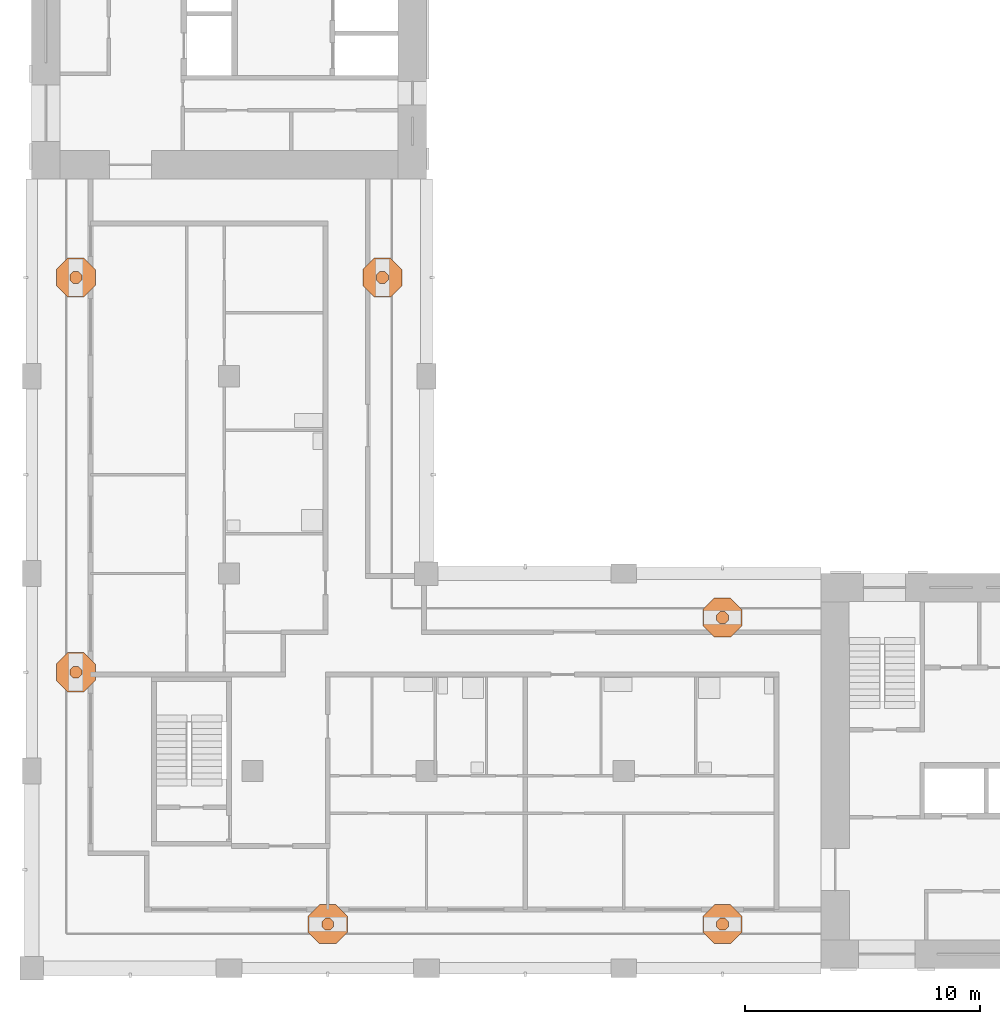
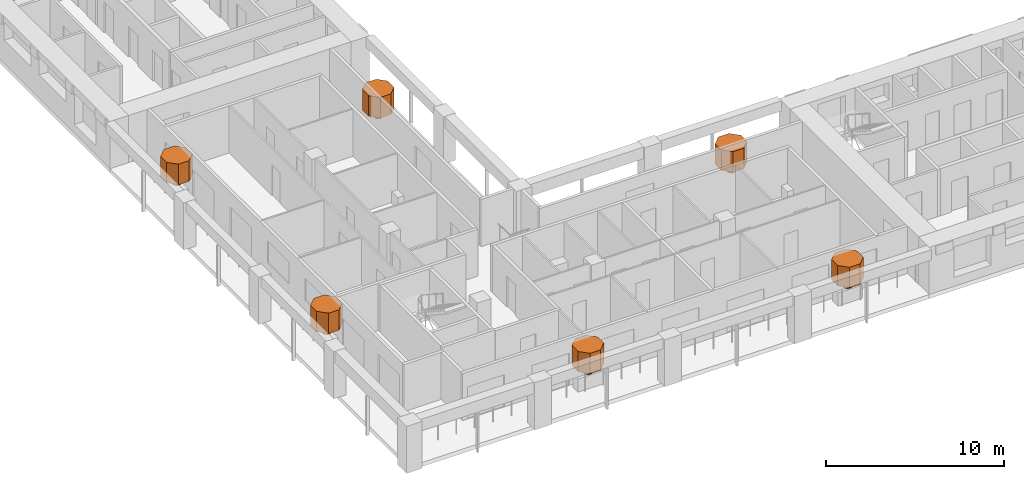
# One storey, part 11 of 11: 12 geographic elements.
"""IFC4 building model written with IfcOpenShell, lengths in metres."""

from ifc_helpers import new_model, si_unit, direction, frame, origin, place, context, subcontext, project, spatial, polyline, outline, extrude, material, element, save


model = new_model("IFC4")

# Units and contexts
model_context = context("Model", 3, precision=1e-05, world=origin(), true_north=direction((0.0, 1.0)))
body_context = subcontext(model_context, "Body", "Model", "MODEL_VIEW")
ifc_project = project(units=[si_unit("LENGTHUNIT", "METRE"), si_unit("AREAUNIT", "SQUARE_METRE"), si_unit("VOLUMEUNIT", "CUBIC_METRE"), si_unit("PLANEANGLEUNIT", "RADIAN"), si_unit("MASSUNIT", "GRAM", prefix="KILO")], contexts=[model_context])

# Site, building, storey
site_placement = place(None, origin())
site = spatial("IfcSite", under=ifc_project, at=site_placement, CompositionType="ELEMENT")
building_placement = place(site_placement, origin())
building = spatial("IfcBuilding", under=site, at=building_placement, Name="Vermilion Gate Residences", CompositionType="ELEMENT")
storey_placement = place(building_placement, frame((0.0, 0.0, 256.199951171875)))
storey = spatial("IfcBuildingStorey", under=building, at=storey_placement, Name="L67", CompositionType="ELEMENT", Elevation=256.199951171875)

# Geographic elements
ifc_material = material(Name="Foliage")
geographic_element_1_placement = place(storey_placement, frame((0.0, 0.0, 0.900146484375)))
element("IfcGeographicElement", 1, at=geographic_element_1_placement, inside=storey, material=ifc_material, Name="Tree (black pine)", ObjectType="TREE", PredefinedType="USERDEFINED", context=body_context, shape_type="SweptSolid", body=[
    extrude(outline(polyline([(21.254150390625, 10.380126953125), (21.105224609375, 10.529052734375), (20.894775390625, 10.529052734375), (20.745849609375, 10.380126953125), (20.745849609375, 10.169921875), (20.894775390625, 10.02099609375), (21.105224609375, 10.02099609375), (21.254150390625, 10.169921875), (21.254150390625, 10.380126953125)])), origin(), (0.0, 0.0, 1.0), 0.52001953125),
])
geographic_element_2_placement = place(storey_placement, frame((0.0, 0.0, 1.420166015625)))
element("IfcGeographicElement", 2, at=geographic_element_2_placement, inside=storey, material=ifc_material, Name="Tree crown (black pine)", ObjectType="TREE", PredefinedType="USERDEFINED", context=body_context, shape_type="SweptSolid", body=[
    extrude(outline(polyline([(21.83154296875, 10.619384765625), (21.344482421875, 11.1064453125), (20.655517578125, 11.1064453125), (20.16845703125, 10.619384765625), (20.16845703125, 9.9306640625), (20.655517578125, 9.443603515625), (21.344482421875, 9.443603515625), (21.83154296875, 9.9306640625), (21.83154296875, 10.619384765625)])), origin(), (0.0, 0.0, 1.0), 1.39990234375),
])
geographic_element_3_placement = place(storey_placement, frame((0.0, 0.0, 0.900146484375)))
element("IfcGeographicElement", 3, at=geographic_element_3_placement, inside=storey, material=ifc_material, Name="Tree (maple)", ObjectType="TREE", PredefinedType="USERDEFINED", context=body_context, shape_type="SweptSolid", body=[
    extrude(outline(polyline([(38.05419921875, 10.380126953125), (37.9052734375, 10.529052734375), (37.69482421875, 10.529052734375), (37.5458984375, 10.380126953125), (37.5458984375, 10.169921875), (37.69482421875, 10.02099609375), (37.9052734375, 10.02099609375), (38.05419921875, 10.169921875), (38.05419921875, 10.380126953125)])), origin(), (0.0, 0.0, 1.0), 0.52001953125),
])
geographic_element_4_placement = place(storey_placement, frame((0.0, 0.0, 1.420166015625)))
element("IfcGeographicElement", 4, at=geographic_element_4_placement, inside=storey, material=ifc_material, Name="Tree crown (maple)", ObjectType="TREE", PredefinedType="USERDEFINED", context=body_context, shape_type="SweptSolid", body=[
    extrude(outline(polyline([(38.631591796875, 10.619384765625), (38.144287109375, 11.1064453125), (37.45556640625, 11.1064453125), (36.968505859375, 10.619384765625), (36.968505859375, 9.9306640625), (37.45556640625, 9.443603515625), (38.144287109375, 9.443603515625), (38.631591796875, 9.9306640625), (38.631591796875, 10.619384765625)])), origin(), (0.0, 0.0, 1.0), 1.39990234375),
])
geographic_element_5_placement = place(storey_placement, frame((0.0, 0.0, 0.900146484375)))
element("IfcGeographicElement", 5, at=geographic_element_5_placement, inside=storey, material=ifc_material, Name="Tree (maple)", ObjectType="TREE", PredefinedType="USERDEFINED", context=body_context, shape_type="SweptSolid", body=[
    extrude(outline(polyline([(38.05419921875, 23.43017578125), (37.9052734375, 23.5791015625), (37.69482421875, 23.5791015625), (37.5458984375, 23.43017578125), (37.5458984375, 23.2197265625), (37.69482421875, 23.07080078125), (37.9052734375, 23.07080078125), (38.05419921875, 23.2197265625), (38.05419921875, 23.43017578125)])), origin(), (0.0, 0.0, 1.0), 0.52001953125),
])
geographic_element_6_placement = place(storey_placement, frame((0.0, 0.0, 1.420166015625)))
element("IfcGeographicElement", 6, at=geographic_element_6_placement, inside=storey, material=ifc_material, Name="Tree crown (maple)", ObjectType="TREE", PredefinedType="USERDEFINED", context=body_context, shape_type="SweptSolid", body=[
    extrude(outline(polyline([(38.631591796875, 23.66943359375), (38.144287109375, 24.156494140625), (37.45556640625, 24.156494140625), (36.968505859375, 23.66943359375), (36.968505859375, 22.980712890625), (37.45556640625, 22.493408203125), (38.144287109375, 22.493408203125), (38.631591796875, 22.980712890625), (38.631591796875, 23.66943359375)])), origin(), (0.0, 0.0, 1.0), 1.39990234375),
])
geographic_element_7_placement = place(storey_placement, frame((0.0, 0.0, 0.900146484375)))
element("IfcGeographicElement", 7, at=geographic_element_7_placement, inside=storey, material=ifc_material, Name="Tree (maple)", ObjectType="TREE", PredefinedType="USERDEFINED", context=body_context, shape_type="SweptSolid", body=[
    extrude(outline(polyline([(23.5791015625, 37.9052734375), (23.43017578125, 38.05419921875), (23.2197265625, 38.05419921875), (23.07080078125, 37.9052734375), (23.07080078125, 37.69482421875), (23.2197265625, 37.5458984375), (23.43017578125, 37.5458984375), (23.5791015625, 37.69482421875), (23.5791015625, 37.9052734375)])), origin(), (0.0, 0.0, 1.0), 0.52001953125),
])
geographic_element_8_placement = place(storey_placement, frame((0.0, 0.0, 1.420166015625)))
element("IfcGeographicElement", 8, at=geographic_element_8_placement, inside=storey, material=ifc_material, Name="Tree crown (maple)", ObjectType="TREE", PredefinedType="USERDEFINED", context=body_context, shape_type="SweptSolid", body=[
    extrude(outline(polyline([(24.156494140625, 38.144287109375), (23.66943359375, 38.631591796875), (22.980712890625, 38.631591796875), (22.493408203125, 38.144287109375), (22.493408203125, 37.45556640625), (22.980712890625, 36.968505859375), (23.66943359375, 36.968505859375), (24.156494140625, 37.45556640625), (24.156494140625, 38.144287109375)])), origin(), (0.0, 0.0, 1.0), 1.39990234375),
])
geographic_element_9_placement = place(storey_placement, frame((0.0, 0.0, 0.900146484375)))
element("IfcGeographicElement", 9, at=geographic_element_9_placement, inside=storey, material=ifc_material, Name="Tree (black pine)", ObjectType="TREE", PredefinedType="USERDEFINED", context=body_context, shape_type="SweptSolid", body=[
    extrude(outline(polyline([(10.529052734375, 21.105224609375), (10.380126953125, 21.254150390625), (10.169921875, 21.254150390625), (10.02099609375, 21.105224609375), (10.02099609375, 20.894775390625), (10.169921875, 20.745849609375), (10.380126953125, 20.745849609375), (10.529052734375, 20.894775390625), (10.529052734375, 21.105224609375)])), origin(), (0.0, 0.0, 1.0), 0.52001953125),
])
geographic_element_10_placement = place(storey_placement, frame((0.0, 0.0, 1.420166015625)))
element("IfcGeographicElement", 10, at=geographic_element_10_placement, inside=storey, material=ifc_material, Name="Tree crown (black pine)", ObjectType="TREE", PredefinedType="USERDEFINED", context=body_context, shape_type="SweptSolid", body=[
    extrude(outline(polyline([(11.1064453125, 21.344482421875), (10.619384765625, 21.83154296875), (9.9306640625, 21.83154296875), (9.443603515625, 21.344482421875), (9.443603515625, 20.655517578125), (9.9306640625, 20.16845703125), (10.619384765625, 20.16845703125), (11.1064453125, 20.655517578125), (11.1064453125, 21.344482421875)])), origin(), (0.0, 0.0, 1.0), 1.39990234375),
])
geographic_element_11_placement = place(storey_placement, frame((0.0, 0.0, 0.900146484375)))
element("IfcGeographicElement", 11, at=geographic_element_11_placement, inside=storey, material=ifc_material, Name="Tree (maple)", ObjectType="TREE", PredefinedType="USERDEFINED", context=body_context, shape_type="SweptSolid", body=[
    extrude(outline(polyline([(10.529052734375, 37.9052734375), (10.380126953125, 38.05419921875), (10.169921875, 38.05419921875), (10.02099609375, 37.9052734375), (10.02099609375, 37.69482421875), (10.169921875, 37.5458984375), (10.380126953125, 37.5458984375), (10.529052734375, 37.69482421875), (10.529052734375, 37.9052734375)])), origin(), (0.0, 0.0, 1.0), 0.52001953125),
])
geographic_element_12_placement = place(storey_placement, frame((0.0, 0.0, 1.420166015625)))
element("IfcGeographicElement", 12, at=geographic_element_12_placement, inside=storey, material=ifc_material, Name="Tree crown (maple)", ObjectType="TREE", PredefinedType="USERDEFINED", context=body_context, shape_type="SweptSolid", body=[
    extrude(outline(polyline([(11.1064453125, 38.144287109375), (10.619384765625, 38.631591796875), (9.9306640625, 38.631591796875), (9.443603515625, 38.144287109375), (9.443603515625, 37.45556640625), (9.9306640625, 36.968505859375), (10.619384765625, 36.968505859375), (11.1064453125, 37.45556640625), (11.1064453125, 38.144287109375)])), origin(), (0.0, 0.0, 1.0), 1.39990234375),
])

save(model, "model.ifc")
